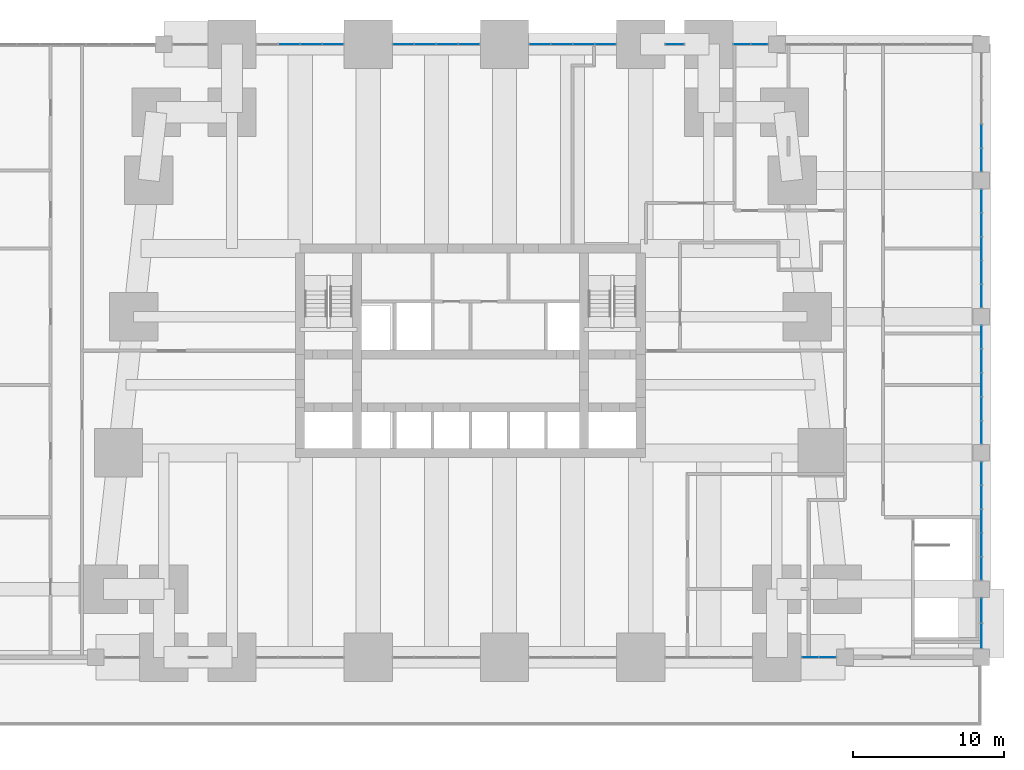
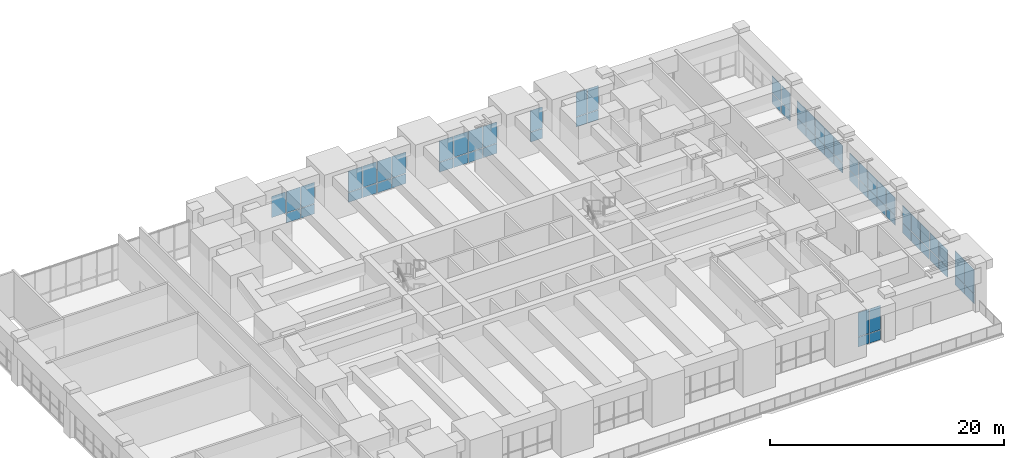
# One storey, part 16 of 22: 69 plates, 11 elements without a shape of their own.
"""IFC4 building model written with IfcOpenShell, lengths in metres."""

from ifc_helpers import new_model, si_unit, direction, frame, origin, origin_2d, place, context, subcontext, project, spatial, rectangle, extrude, material, layer, layer_set, type_object, element, aggregate, save


model = new_model("IFC4")

# Units and contexts
model_context = context("Model", 3, precision=1e-05, world=origin(), true_north=direction((0.0, 1.0)))
body_context = subcontext(model_context, "Body", "Model", "MODEL_VIEW")
ifc_project = project(units=[si_unit("LENGTHUNIT", "METRE"), si_unit("AREAUNIT", "SQUARE_METRE"), si_unit("VOLUMEUNIT", "CUBIC_METRE"), si_unit("PLANEANGLEUNIT", "RADIAN"), si_unit("MASSUNIT", "GRAM", prefix="KILO")], contexts=[model_context])

# Site, building, storey
site_placement = place(None, origin())
site = spatial("IfcSite", under=ifc_project, at=site_placement, CompositionType="ELEMENT")
building_placement = place(site_placement, origin())
building = spatial("IfcBuilding", under=site, at=building_placement, Name="Kilele Tower Hotel", CompositionType="ELEMENT")
storey_placement = place(building_placement, frame((0.0, 0.0, 19.0)))
storey = spatial("IfcBuildingStorey", under=building, at=storey_placement, Name="L03", CompositionType="ELEMENT", Elevation=19.0)

# Curtain wall, plates
ifc_material_1 = material(Name="Aluminium curtain wall, clear double glazing", Category="aluminium")
curtain_wall_type_1 = type_object("IfcCurtainWallType", Name="Podium curtain wall CW-1", PredefinedType="NOTDEFINED", material=ifc_material_1)
curtain_wall_1_placement = place(storey_placement, origin())
curtain_wall_1 = element("IfcCurtainWall", 1, at=curtain_wall_1_placement, inside=storey, type_object=curtain_wall_type_1, Name="Podium curtain wall CW-1 L03", PredefinedType="NOTDEFINED")
ifc_material_2 = material(Name="Clear double glazing", Category="glass")
ifc_layer_1 = layer(ifc_material_2, 0.028076171875)
ifc_layer_set_1 = layer_set([ifc_layer_1], Name="Clear double glazing")
plate_type_1 = type_object("IfcPlateType", Name="Glazed panel 28 CW-1", PredefinedType="CURTAIN_PANEL", material=ifc_layer_set_1)
plate_1_placement = place(storey_placement, frame((47.202392578125, 0.0, 0.06005859375), z_axis=(0.0, 0.0, 1.0), x_axis=(1.0, 0.0, 0.0)))
plate_1 = element("IfcPlate", 2, at=plate_1_placement, type_object=plate_type_1, Name="CW-1 panel 1.1", PredefinedType="CURTAIN_PANEL", context=body_context, shape_type="SweptSolid", body=[
    extrude(rectangle(XDim=1.0849609375, YDim=0.028076171875, at=origin_2d()), origin(), (0.0, 0.0, 1.0), 1.010009765625),
])
plate_2_placement = place(storey_placement, frame((47.202392578125, 0.0, 1.1298828125), z_axis=(0.0, 0.0, 1.0), x_axis=(1.0, 0.0, 0.0)))
plate_2 = element("IfcPlate", 3, at=plate_2_placement, type_object=plate_type_1, Name="CW-1 panel 1.2", PredefinedType="CURTAIN_PANEL", context=body_context, shape_type="SweptSolid", body=[
    extrude(rectangle(XDim=1.0849609375, YDim=0.028076171875, at=origin_2d()), origin(), (0.0, 0.0, 1.0), 2.510009765625),
])
plate_3_placement = place(storey_placement, frame((48.347412109375, 0.0, 0.06005859375), z_axis=(0.0, 0.0, 1.0), x_axis=(1.0, 0.0, 0.0)))
plate_3 = element("IfcPlate", 4, at=plate_3_placement, type_object=plate_type_1, Name="CW-1 panel 2.1", PredefinedType="CURTAIN_PANEL", context=body_context, shape_type="SweptSolid", body=[
    extrude(rectangle(XDim=1.0849609375, YDim=0.028076171875, at=origin_2d()), origin(), (0.0, 0.0, 1.0), 1.010009765625),
])
plate_4_placement = place(storey_placement, frame((48.347412109375, 0.0, 1.1298828125), z_axis=(0.0, 0.0, 1.0), x_axis=(1.0, 0.0, 0.0)))
plate_4 = element("IfcPlate", 5, at=plate_4_placement, type_object=plate_type_1, Name="CW-1 panel 2.2", PredefinedType="CURTAIN_PANEL", context=body_context, shape_type="SweptSolid", body=[
    extrude(rectangle(XDim=1.0849609375, YDim=0.028076171875, at=origin_2d()), origin(), (0.0, 0.0, 1.0), 2.510009765625),
])
aggregate(curtain_wall_1, [plate_1, plate_2, plate_3, plate_4])

curtain_wall_2_placement = place(storey_placement, origin())
curtain_wall_2 = element("IfcCurtainWall", 6, at=curtain_wall_2_placement, inside=storey, type_object=curtain_wall_type_1, Name="Podium curtain wall CW-1 L03", PredefinedType="NOTDEFINED")
plate_5_placement = place(storey_placement, frame((43.847412109375, 40.5, 0.06005859375), z_axis=(0.0, 0.0, 1.0), x_axis=(-1.0, 0.0, 0.0)))
plate_5 = element("IfcPlate", 7, at=plate_5_placement, type_object=plate_type_1, Name="CW-1 panel 1.1", PredefinedType="CURTAIN_PANEL", context=body_context, shape_type="SweptSolid", body=[
    extrude(rectangle(XDim=1.0849609375, YDim=0.028076171875, at=origin_2d()), origin(), (0.0, 0.0, 1.0), 1.010009765625),
])
plate_6_placement = place(storey_placement, frame((43.847412109375, 40.5, 1.1298828125), z_axis=(0.0, 0.0, 1.0), x_axis=(-1.0, 0.0, 0.0)))
plate_6 = element("IfcPlate", 8, at=plate_6_placement, type_object=plate_type_1, Name="CW-1 panel 1.2", PredefinedType="CURTAIN_PANEL", context=body_context, shape_type="SweptSolid", body=[
    extrude(rectangle(XDim=1.0849609375, YDim=0.028076171875, at=origin_2d()), origin(), (0.0, 0.0, 1.0), 2.510009765625),
])
plate_7_placement = place(storey_placement, frame((42.702392578125, 40.5, 0.06005859375), z_axis=(0.0, 0.0, 1.0), x_axis=(-1.0, 0.0, 0.0)))
plate_7 = element("IfcPlate", 9, at=plate_7_placement, type_object=plate_type_1, Name="CW-1 panel 2.1", PredefinedType="CURTAIN_PANEL", context=body_context, shape_type="SweptSolid", body=[
    extrude(rectangle(XDim=1.0849609375, YDim=0.028076171875, at=origin_2d()), origin(), (0.0, 0.0, 1.0), 1.010009765625),
])
plate_8_placement = place(storey_placement, frame((42.702392578125, 40.5, 1.1298828125), z_axis=(0.0, 0.0, 1.0), x_axis=(-1.0, 0.0, 0.0)))
plate_8 = element("IfcPlate", 10, at=plate_8_placement, type_object=plate_type_1, Name="CW-1 panel 2.2", PredefinedType="CURTAIN_PANEL", context=body_context, shape_type="SweptSolid", body=[
    extrude(rectangle(XDim=1.0849609375, YDim=0.028076171875, at=origin_2d()), origin(), (0.0, 0.0, 1.0), 2.510009765625),
])
aggregate(curtain_wall_2, [plate_5, plate_6, plate_7, plate_8])

curtain_wall_3_placement = place(storey_placement, origin())
curtain_wall_3 = element("IfcCurtainWall", 11, at=curtain_wall_3_placement, inside=storey, type_object=curtain_wall_type_1, Name="Podium curtain wall CW-1 L03", PredefinedType="NOTDEFINED")
plate_9_placement = place(storey_placement, frame((38.25, 40.5, 0.06005859375), z_axis=(0.0, 0.0, 1.0), x_axis=(-1.0, 0.0, 0.0)))
plate_9 = element("IfcPlate", 12, at=plate_9_placement, type_object=plate_type_1, Name="CW-1 panel 1.1", PredefinedType="CURTAIN_PANEL", context=body_context, shape_type="SweptSolid", body=[
    extrude(rectangle(XDim=1.179931640625, YDim=0.028076171875, at=origin_2d()), origin(), (0.0, 0.0, 1.0), 1.010009765625),
])
plate_10_placement = place(storey_placement, frame((38.25, 40.5, 1.130126953125), z_axis=(0.0, 0.0, 1.0), x_axis=(-1.0, 0.0, 0.0)))
plate_10 = element("IfcPlate", 13, at=plate_10_placement, type_object=plate_type_1, Name="CW-1 panel 1.2", PredefinedType="CURTAIN_PANEL", context=body_context, shape_type="SweptSolid", body=[
    extrude(rectangle(XDim=1.179931640625, YDim=0.028076171875, at=origin_2d()), origin(), (0.0, 0.0, 1.0), 2.2099609375),
])
aggregate(curtain_wall_3, [plate_9, plate_10])

curtain_wall_4_placement = place(storey_placement, origin())
curtain_wall_4 = element("IfcCurtainWall", 14, at=curtain_wall_4_placement, inside=storey, type_object=curtain_wall_type_1, Name="Podium curtain wall CW-1 L03", PredefinedType="NOTDEFINED")
plate_11_placement = place(storey_placement, frame((33.659912109375, 40.5, 0.06005859375), z_axis=(0.0, 0.0, 1.0), x_axis=(-1.0, 0.0, 0.0)))
plate_11 = element("IfcPlate", 15, at=plate_11_placement, type_object=plate_type_1, Name="CW-1 panel 1.1", PredefinedType="CURTAIN_PANEL", context=body_context, shape_type="SweptSolid", body=[
    extrude(rectangle(XDim=1.360107421875, YDim=0.028076171875, at=origin_2d()), origin(), (0.0, 0.0, 1.0), 1.010009765625),
])
plate_12_placement = place(storey_placement, frame((33.659912109375, 40.5, 1.130126953125), z_axis=(0.0, 0.0, 1.0), x_axis=(-1.0, 0.0, 0.0)))
plate_12 = element("IfcPlate", 16, at=plate_12_placement, type_object=plate_type_1, Name="CW-1 panel 1.2", PredefinedType="CURTAIN_PANEL", context=body_context, shape_type="SweptSolid", body=[
    extrude(rectangle(XDim=1.360107421875, YDim=0.028076171875, at=origin_2d()), origin(), (0.0, 0.0, 1.0), 2.2099609375),
])
plate_13_placement = place(storey_placement, frame((32.22509765625, 40.5, 0.06005859375), z_axis=(0.0, 0.0, 1.0), x_axis=(-1.0, 0.0, 0.0)))
plate_13 = element("IfcPlate", 17, at=plate_13_placement, type_object=plate_type_1, Name="CW-1 panel 2.1", PredefinedType="CURTAIN_PANEL", context=body_context, shape_type="SweptSolid", body=[
    extrude(rectangle(XDim=1.389892578125, YDim=0.028076171875, at=origin_2d()), origin(), (0.0, 0.0, 1.0), 1.010009765625),
])
plate_14_placement = place(storey_placement, frame((32.22509765625, 40.5, 1.130126953125), z_axis=(0.0, 0.0, 1.0), x_axis=(-1.0, 0.0, 0.0)))
plate_14 = element("IfcPlate", 18, at=plate_14_placement, type_object=plate_type_1, Name="CW-1 panel 2.2", PredefinedType="CURTAIN_PANEL", context=body_context, shape_type="SweptSolid", body=[
    extrude(rectangle(XDim=1.389892578125, YDim=0.028076171875, at=origin_2d()), origin(), (0.0, 0.0, 1.0), 2.2099609375),
])
plate_15_placement = place(storey_placement, frame((30.77490234375, 40.5, 0.06005859375), z_axis=(0.0, 0.0, 1.0), x_axis=(-1.0, 0.0, 0.0)))
plate_15 = element("IfcPlate", 19, at=plate_15_placement, type_object=plate_type_1, Name="CW-1 panel 3.1", PredefinedType="CURTAIN_PANEL", context=body_context, shape_type="SweptSolid", body=[
    extrude(rectangle(XDim=1.389892578125, YDim=0.028076171875, at=origin_2d()), origin(), (0.0, 0.0, 1.0), 1.010009765625),
])
plate_16_placement = place(storey_placement, frame((30.77490234375, 40.5, 1.130126953125), z_axis=(0.0, 0.0, 1.0), x_axis=(-1.0, 0.0, 0.0)))
plate_16 = element("IfcPlate", 20, at=plate_16_placement, type_object=plate_type_1, Name="CW-1 panel 3.2", PredefinedType="CURTAIN_PANEL", context=body_context, shape_type="SweptSolid", body=[
    extrude(rectangle(XDim=1.389892578125, YDim=0.028076171875, at=origin_2d()), origin(), (0.0, 0.0, 1.0), 2.2099609375),
])
plate_17_placement = place(storey_placement, frame((29.340087890625, 40.5, 0.06005859375), z_axis=(0.0, 0.0, 1.0), x_axis=(-1.0, 0.0, 0.0)))
plate_17 = element("IfcPlate", 21, at=plate_17_placement, type_object=plate_type_1, Name="CW-1 panel 4.1", PredefinedType="CURTAIN_PANEL", context=body_context, shape_type="SweptSolid", body=[
    extrude(rectangle(XDim=1.360107421875, YDim=0.028076171875, at=origin_2d()), origin(), (0.0, 0.0, 1.0), 1.010009765625),
])
plate_18_placement = place(storey_placement, frame((29.340087890625, 40.5, 1.130126953125), z_axis=(0.0, 0.0, 1.0), x_axis=(-1.0, 0.0, 0.0)))
plate_18 = element("IfcPlate", 22, at=plate_18_placement, type_object=plate_type_1, Name="CW-1 panel 4.2", PredefinedType="CURTAIN_PANEL", context=body_context, shape_type="SweptSolid", body=[
    extrude(rectangle(XDim=1.360107421875, YDim=0.028076171875, at=origin_2d()), origin(), (0.0, 0.0, 1.0), 2.2099609375),
])
aggregate(curtain_wall_4, [plate_11, plate_12, plate_13, plate_14, plate_15, plate_16, plate_17, plate_18])

curtain_wall_5_placement = place(storey_placement, origin())
curtain_wall_5 = element("IfcCurtainWall", 23, at=curtain_wall_5_placement, inside=storey, type_object=curtain_wall_type_1, Name="Podium curtain wall CW-1 L03", PredefinedType="NOTDEFINED")
plate_19_placement = place(storey_placement, frame((24.659912109375, 40.5, 0.06005859375), z_axis=(0.0, 0.0, 1.0), x_axis=(-1.0, 0.0, 0.0)))
plate_19 = element("IfcPlate", 24, at=plate_19_placement, type_object=plate_type_1, Name="CW-1 panel 1.1", PredefinedType="CURTAIN_PANEL", context=body_context, shape_type="SweptSolid", body=[
    extrude(rectangle(XDim=1.360107421875, YDim=0.028076171875, at=origin_2d()), origin(), (0.0, 0.0, 1.0), 1.010009765625),
])
plate_20_placement = place(storey_placement, frame((24.659912109375, 40.5, 1.130126953125), z_axis=(0.0, 0.0, 1.0), x_axis=(-1.0, 0.0, 0.0)))
plate_20 = element("IfcPlate", 25, at=plate_20_placement, type_object=plate_type_1, Name="CW-1 panel 1.2", PredefinedType="CURTAIN_PANEL", context=body_context, shape_type="SweptSolid", body=[
    extrude(rectangle(XDim=1.360107421875, YDim=0.028076171875, at=origin_2d()), origin(), (0.0, 0.0, 1.0), 2.2099609375),
])
plate_21_placement = place(storey_placement, frame((23.22509765625, 40.5, 0.06005859375), z_axis=(0.0, 0.0, 1.0), x_axis=(-1.0, 0.0, 0.0)))
plate_21 = element("IfcPlate", 26, at=plate_21_placement, type_object=plate_type_1, Name="CW-1 panel 2.1", PredefinedType="CURTAIN_PANEL", context=body_context, shape_type="SweptSolid", body=[
    extrude(rectangle(XDim=1.389892578125, YDim=0.028076171875, at=origin_2d()), origin(), (0.0, 0.0, 1.0), 1.010009765625),
])
plate_22_placement = place(storey_placement, frame((23.22509765625, 40.5, 1.130126953125), z_axis=(0.0, 0.0, 1.0), x_axis=(-1.0, 0.0, 0.0)))
plate_22 = element("IfcPlate", 27, at=plate_22_placement, type_object=plate_type_1, Name="CW-1 panel 2.2", PredefinedType="CURTAIN_PANEL", context=body_context, shape_type="SweptSolid", body=[
    extrude(rectangle(XDim=1.389892578125, YDim=0.028076171875, at=origin_2d()), origin(), (0.0, 0.0, 1.0), 2.2099609375),
])
plate_23_placement = place(storey_placement, frame((21.77490234375, 40.5, 0.06005859375), z_axis=(0.0, 0.0, 1.0), x_axis=(-1.0, 0.0, 0.0)))
plate_23 = element("IfcPlate", 28, at=plate_23_placement, type_object=plate_type_1, Name="CW-1 panel 3.1", PredefinedType="CURTAIN_PANEL", context=body_context, shape_type="SweptSolid", body=[
    extrude(rectangle(XDim=1.389892578125, YDim=0.028076171875, at=origin_2d()), origin(), (0.0, 0.0, 1.0), 1.010009765625),
])
plate_24_placement = place(storey_placement, frame((21.77490234375, 40.5, 1.130126953125), z_axis=(0.0, 0.0, 1.0), x_axis=(-1.0, 0.0, 0.0)))
plate_24 = element("IfcPlate", 29, at=plate_24_placement, type_object=plate_type_1, Name="CW-1 panel 3.2", PredefinedType="CURTAIN_PANEL", context=body_context, shape_type="SweptSolid", body=[
    extrude(rectangle(XDim=1.389892578125, YDim=0.028076171875, at=origin_2d()), origin(), (0.0, 0.0, 1.0), 2.2099609375),
])
plate_25_placement = place(storey_placement, frame((20.340087890625, 40.5, 0.06005859375), z_axis=(0.0, 0.0, 1.0), x_axis=(-1.0, 0.0, 0.0)))
plate_25 = element("IfcPlate", 30, at=plate_25_placement, type_object=plate_type_1, Name="CW-1 panel 4.1", PredefinedType="CURTAIN_PANEL", context=body_context, shape_type="SweptSolid", body=[
    extrude(rectangle(XDim=1.360107421875, YDim=0.028076171875, at=origin_2d()), origin(), (0.0, 0.0, 1.0), 1.010009765625),
])
plate_26_placement = place(storey_placement, frame((20.340087890625, 40.5, 1.130126953125), z_axis=(0.0, 0.0, 1.0), x_axis=(-1.0, 0.0, 0.0)))
plate_26 = element("IfcPlate", 31, at=plate_26_placement, type_object=plate_type_1, Name="CW-1 panel 4.2", PredefinedType="CURTAIN_PANEL", context=body_context, shape_type="SweptSolid", body=[
    extrude(rectangle(XDim=1.360107421875, YDim=0.028076171875, at=origin_2d()), origin(), (0.0, 0.0, 1.0), 2.2099609375),
])
aggregate(curtain_wall_5, [plate_19, plate_20, plate_21, plate_22, plate_23, plate_24, plate_25, plate_26])

curtain_wall_6_placement = place(storey_placement, origin())
curtain_wall_6 = element("IfcCurtainWall", 32, at=curtain_wall_6_placement, inside=storey, type_object=curtain_wall_type_1, Name="Podium curtain wall CW-1 L03", PredefinedType="NOTDEFINED")
plate_27_placement = place(storey_placement, frame((15.659912109375, 40.5, 0.06005859375), z_axis=(0.0, 0.0, 1.0), x_axis=(-1.0, 0.0, 0.0)))
plate_27 = element("IfcPlate", 33, at=plate_27_placement, type_object=plate_type_1, Name="CW-1 panel 1.1", PredefinedType="CURTAIN_PANEL", context=body_context, shape_type="SweptSolid", body=[
    extrude(rectangle(XDim=1.360107421875, YDim=0.028076171875, at=origin_2d()), origin(), (0.0, 0.0, 1.0), 1.010009765625),
])
plate_28_placement = place(storey_placement, frame((15.659912109375, 40.5, 1.130126953125), z_axis=(0.0, 0.0, 1.0), x_axis=(-1.0, 0.0, 0.0)))
plate_28 = element("IfcPlate", 34, at=plate_28_placement, type_object=plate_type_1, Name="CW-1 panel 1.2", PredefinedType="CURTAIN_PANEL", context=body_context, shape_type="SweptSolid", body=[
    extrude(rectangle(XDim=1.360107421875, YDim=0.028076171875, at=origin_2d()), origin(), (0.0, 0.0, 1.0), 2.2099609375),
])
plate_29_placement = place(storey_placement, frame((14.22509765625, 40.5, 0.06005859375), z_axis=(0.0, 0.0, 1.0), x_axis=(-1.0, 0.0, 0.0)))
plate_29 = element("IfcPlate", 35, at=plate_29_placement, type_object=plate_type_1, Name="CW-1 panel 2.1", PredefinedType="CURTAIN_PANEL", context=body_context, shape_type="SweptSolid", body=[
    extrude(rectangle(XDim=1.389892578125, YDim=0.028076171875, at=origin_2d()), origin(), (0.0, 0.0, 1.0), 1.010009765625),
])
plate_30_placement = place(storey_placement, frame((14.22509765625, 40.5, 1.130126953125), z_axis=(0.0, 0.0, 1.0), x_axis=(-1.0, 0.0, 0.0)))
plate_30 = element("IfcPlate", 36, at=plate_30_placement, type_object=plate_type_1, Name="CW-1 panel 2.2", PredefinedType="CURTAIN_PANEL", context=body_context, shape_type="SweptSolid", body=[
    extrude(rectangle(XDim=1.389892578125, YDim=0.028076171875, at=origin_2d()), origin(), (0.0, 0.0, 1.0), 2.2099609375),
])
plate_31_placement = place(storey_placement, frame((12.77490234375, 40.5, 1.130126953125), z_axis=(0.0, 0.0, 1.0), x_axis=(-1.0, 0.0, 0.0)))
plate_31 = element("IfcPlate", 37, at=plate_31_placement, type_object=plate_type_1, Name="CW-1 panel 3.2", PredefinedType="CURTAIN_PANEL", context=body_context, shape_type="SweptSolid", body=[
    extrude(rectangle(XDim=1.389892578125, YDim=0.028076171875, at=origin_2d()), origin(), (0.0, 0.0, 1.0), 2.2099609375),
])
aggregate(curtain_wall_6, [plate_27, plate_28, plate_29, plate_30, plate_31])

ifc_material_3 = material(Name="Aluminium curtain wall, clear double glazing", Category="aluminium")
curtain_wall_type_2 = type_object("IfcCurtainWallType", Name="Podium side curtain wall CW-2", PredefinedType="NOTDEFINED", material=ifc_material_3)
curtain_wall_7_placement = place(storey_placement, origin())
curtain_wall_7 = element("IfcCurtainWall", 38, at=curtain_wall_7_placement, inside=storey, type_object=curtain_wall_type_2, Name="Podium side curtain wall CW-2 L03", PredefinedType="NOTDEFINED")
ifc_material_4 = material(Name="Clear double glazing", Category="glass")
ifc_layer_2 = layer(ifc_material_4, 0.028076171875)
ifc_layer_set_2 = layer_set([ifc_layer_2], Name="Clear double glazing")
plate_type_2 = type_object("IfcPlateType", Name="Glazed panel 28 CW-2", PredefinedType="CURTAIN_PANEL", material=ifc_layer_set_2)
plate_32_placement = place(storey_placement, frame((58.5, 1.4150390625, 0.06005859375), z_axis=(0.0, 0.0, 1.0), x_axis=(0.0, 1.0, 0.0)))
plate_32 = element("IfcPlate", 39, at=plate_32_placement, type_object=plate_type_2, Name="CW-2 panel 1.1", PredefinedType="CURTAIN_PANEL", context=body_context, shape_type="SweptSolid", body=[
    extrude(rectangle(XDim=1.610107421875, YDim=0.028076171875, at=origin_2d()), origin(), (0.0, 0.0, 1.0), 1.010009765625),
])
plate_33_placement = place(storey_placement, frame((58.5, 1.4150390625, 1.1298828125), z_axis=(0.0, 0.0, 1.0), x_axis=(0.0, 1.0, 0.0)))
plate_33 = element("IfcPlate", 40, at=plate_33_placement, type_object=plate_type_2, Name="CW-2 panel 1.2", PredefinedType="CURTAIN_PANEL", context=body_context, shape_type="SweptSolid", body=[
    extrude(rectangle(XDim=1.610107421875, YDim=0.028076171875, at=origin_2d()), origin(), (0.0, 0.0, 1.0), 2.510009765625),
])
plate_34_placement = place(storey_placement, frame((58.5, 3.0849609375, 0.06005859375), z_axis=(0.0, 0.0, 1.0), x_axis=(0.0, 1.0, 0.0)))
plate_34 = element("IfcPlate", 41, at=plate_34_placement, type_object=plate_type_2, Name="CW-2 panel 2.1", PredefinedType="CURTAIN_PANEL", context=body_context, shape_type="SweptSolid", body=[
    extrude(rectangle(XDim=1.610107421875, YDim=0.028076171875, at=origin_2d()), origin(), (0.0, 0.0, 1.0), 1.010009765625),
])
plate_35_placement = place(storey_placement, frame((58.5, 3.0849609375, 1.1298828125), z_axis=(0.0, 0.0, 1.0), x_axis=(0.0, 1.0, 0.0)))
plate_35 = element("IfcPlate", 42, at=plate_35_placement, type_object=plate_type_2, Name="CW-2 panel 2.2", PredefinedType="CURTAIN_PANEL", context=body_context, shape_type="SweptSolid", body=[
    extrude(rectangle(XDim=1.610107421875, YDim=0.028076171875, at=origin_2d()), origin(), (0.0, 0.0, 1.0), 2.510009765625),
])
aggregate(curtain_wall_7, [plate_32, plate_33, plate_34, plate_35])

curtain_wall_8_placement = place(storey_placement, origin())
curtain_wall_8 = element("IfcCurtainWall", 43, at=curtain_wall_8_placement, inside=storey, type_object=curtain_wall_type_2, Name="Podium side curtain wall CW-2 L03", PredefinedType="NOTDEFINED")
plate_36_placement = place(storey_placement, frame((58.5, 5.85498046875, 0.06005859375), z_axis=(0.0, 0.0, 1.0), x_axis=(0.0, 1.0, 0.0)))
plate_36 = element("IfcPlate", 44, at=plate_36_placement, type_object=plate_type_2, Name="CW-2 panel 1.1", PredefinedType="CURTAIN_PANEL", context=body_context, shape_type="SweptSolid", body=[
    extrude(rectangle(XDim=1.489990234375, YDim=0.028076171875, at=origin_2d()), origin(), (0.0, 0.0, 1.0), 1.010009765625),
])
plate_37_placement = place(storey_placement, frame((58.5, 5.85498046875, 1.1298828125), z_axis=(0.0, 0.0, 1.0), x_axis=(0.0, 1.0, 0.0)))
plate_37 = element("IfcPlate", 45, at=plate_37_placement, type_object=plate_type_2, Name="CW-2 panel 1.2", PredefinedType="CURTAIN_PANEL", context=body_context, shape_type="SweptSolid", body=[
    extrude(rectangle(XDim=1.489990234375, YDim=0.028076171875, at=origin_2d()), origin(), (0.0, 0.0, 1.0), 1.81005859375),
])
plate_38_placement = place(storey_placement, frame((58.5, 7.419921875, 0.06005859375), z_axis=(0.0, 0.0, 1.0), x_axis=(0.0, 1.0, 0.0)))
plate_38 = element("IfcPlate", 46, at=plate_38_placement, type_object=plate_type_2, Name="CW-2 panel 2.1", PredefinedType="CURTAIN_PANEL", context=body_context, shape_type="SweptSolid", body=[
    extrude(rectangle(XDim=1.52001953125, YDim=0.028076171875, at=origin_2d()), origin(), (0.0, 0.0, 1.0), 1.010009765625),
])
plate_39_placement = place(storey_placement, frame((58.5, 7.419921875, 1.1298828125), z_axis=(0.0, 0.0, 1.0), x_axis=(0.0, 1.0, 0.0)))
plate_39 = element("IfcPlate", 47, at=plate_39_placement, type_object=plate_type_2, Name="CW-2 panel 2.2", PredefinedType="CURTAIN_PANEL", context=body_context, shape_type="SweptSolid", body=[
    extrude(rectangle(XDim=1.52001953125, YDim=0.028076171875, at=origin_2d()), origin(), (0.0, 0.0, 1.0), 1.81005859375),
])
plate_40_placement = place(storey_placement, frame((58.5, 9.0, 0.06005859375), z_axis=(0.0, 0.0, 1.0), x_axis=(0.0, 1.0, 0.0)))
plate_40 = element("IfcPlate", 48, at=plate_40_placement, type_object=plate_type_2, Name="CW-2 panel 3.1", PredefinedType="CURTAIN_PANEL", context=body_context, shape_type="SweptSolid", body=[
    extrude(rectangle(XDim=1.52001953125, YDim=0.028076171875, at=origin_2d()), origin(), (0.0, 0.0, 1.0), 1.010009765625),
])
plate_41_placement = place(storey_placement, frame((58.5, 9.0, 1.1298828125), z_axis=(0.0, 0.0, 1.0), x_axis=(0.0, 1.0, 0.0)))
plate_41 = element("IfcPlate", 49, at=plate_41_placement, type_object=plate_type_2, Name="CW-2 panel 3.2", PredefinedType="CURTAIN_PANEL", context=body_context, shape_type="SweptSolid", body=[
    extrude(rectangle(XDim=1.52001953125, YDim=0.028076171875, at=origin_2d()), origin(), (0.0, 0.0, 1.0), 1.81005859375),
])
plate_42_placement = place(storey_placement, frame((58.5, 10.580078125, 0.06005859375), z_axis=(0.0, 0.0, 1.0), x_axis=(0.0, 1.0, 0.0)))
plate_42 = element("IfcPlate", 50, at=plate_42_placement, type_object=plate_type_2, Name="CW-2 panel 4.1", PredefinedType="CURTAIN_PANEL", context=body_context, shape_type="SweptSolid", body=[
    extrude(rectangle(XDim=1.52001953125, YDim=0.028076171875, at=origin_2d()), origin(), (0.0, 0.0, 1.0), 1.010009765625),
])
plate_43_placement = place(storey_placement, frame((58.5, 10.580078125, 1.1298828125), z_axis=(0.0, 0.0, 1.0), x_axis=(0.0, 1.0, 0.0)))
plate_43 = element("IfcPlate", 51, at=plate_43_placement, type_object=plate_type_2, Name="CW-2 panel 4.2", PredefinedType="CURTAIN_PANEL", context=body_context, shape_type="SweptSolid", body=[
    extrude(rectangle(XDim=1.52001953125, YDim=0.028076171875, at=origin_2d()), origin(), (0.0, 0.0, 1.0), 1.81005859375),
])
plate_44_placement = place(storey_placement, frame((58.5, 12.14501953125, 0.06005859375), z_axis=(0.0, 0.0, 1.0), x_axis=(0.0, 1.0, 0.0)))
plate_44 = element("IfcPlate", 52, at=plate_44_placement, type_object=plate_type_2, Name="CW-2 panel 5.1", PredefinedType="CURTAIN_PANEL", context=body_context, shape_type="SweptSolid", body=[
    extrude(rectangle(XDim=1.489990234375, YDim=0.028076171875, at=origin_2d()), origin(), (0.0, 0.0, 1.0), 1.010009765625),
])
plate_45_placement = place(storey_placement, frame((58.5, 12.14501953125, 1.1298828125), z_axis=(0.0, 0.0, 1.0), x_axis=(0.0, 1.0, 0.0)))
plate_45 = element("IfcPlate", 53, at=plate_45_placement, type_object=plate_type_2, Name="CW-2 panel 5.2", PredefinedType="CURTAIN_PANEL", context=body_context, shape_type="SweptSolid", body=[
    extrude(rectangle(XDim=1.489990234375, YDim=0.028076171875, at=origin_2d()), origin(), (0.0, 0.0, 1.0), 1.81005859375),
])
aggregate(curtain_wall_8, [plate_36, plate_37, plate_38, plate_39, plate_40, plate_41, plate_42, plate_43, plate_44, plate_45])

curtain_wall_9_placement = place(storey_placement, origin())
curtain_wall_9 = element("IfcCurtainWall", 54, at=curtain_wall_9_placement, inside=storey, type_object=curtain_wall_type_2, Name="Podium side curtain wall CW-2 L03", PredefinedType="NOTDEFINED")
plate_46_placement = place(storey_placement, frame((58.5, 14.85498046875, 0.06005859375), z_axis=(0.0, 0.0, 1.0), x_axis=(0.0, 1.0, 0.0)))
plate_46 = element("IfcPlate", 55, at=plate_46_placement, type_object=plate_type_2, Name="CW-2 panel 1.1", PredefinedType="CURTAIN_PANEL", context=body_context, shape_type="SweptSolid", body=[
    extrude(rectangle(XDim=1.489990234375, YDim=0.028076171875, at=origin_2d()), origin(), (0.0, 0.0, 1.0), 1.010009765625),
])
plate_47_placement = place(storey_placement, frame((58.5, 14.85498046875, 1.1298828125), z_axis=(0.0, 0.0, 1.0), x_axis=(0.0, 1.0, 0.0)))
plate_47 = element("IfcPlate", 56, at=plate_47_placement, type_object=plate_type_2, Name="CW-2 panel 1.2", PredefinedType="CURTAIN_PANEL", context=body_context, shape_type="SweptSolid", body=[
    extrude(rectangle(XDim=1.489990234375, YDim=0.028076171875, at=origin_2d()), origin(), (0.0, 0.0, 1.0), 1.81005859375),
])
plate_48_placement = place(storey_placement, frame((58.5, 16.419921875, 0.06005859375), z_axis=(0.0, 0.0, 1.0), x_axis=(0.0, 1.0, 0.0)))
plate_48 = element("IfcPlate", 57, at=plate_48_placement, type_object=plate_type_2, Name="CW-2 panel 2.1", PredefinedType="CURTAIN_PANEL", context=body_context, shape_type="SweptSolid", body=[
    extrude(rectangle(XDim=1.52001953125, YDim=0.028076171875, at=origin_2d()), origin(), (0.0, 0.0, 1.0), 1.010009765625),
])
plate_49_placement = place(storey_placement, frame((58.5, 16.419921875, 1.1298828125), z_axis=(0.0, 0.0, 1.0), x_axis=(0.0, 1.0, 0.0)))
plate_49 = element("IfcPlate", 58, at=plate_49_placement, type_object=plate_type_2, Name="CW-2 panel 2.2", PredefinedType="CURTAIN_PANEL", context=body_context, shape_type="SweptSolid", body=[
    extrude(rectangle(XDim=1.52001953125, YDim=0.028076171875, at=origin_2d()), origin(), (0.0, 0.0, 1.0), 1.81005859375),
])
plate_50_placement = place(storey_placement, frame((58.5, 18.0, 0.06005859375), z_axis=(0.0, 0.0, 1.0), x_axis=(0.0, 1.0, 0.0)))
plate_50 = element("IfcPlate", 59, at=plate_50_placement, type_object=plate_type_2, Name="CW-2 panel 3.1", PredefinedType="CURTAIN_PANEL", context=body_context, shape_type="SweptSolid", body=[
    extrude(rectangle(XDim=1.52001953125, YDim=0.028076171875, at=origin_2d()), origin(), (0.0, 0.0, 1.0), 1.010009765625),
])
plate_51_placement = place(storey_placement, frame((58.5, 18.0, 1.1298828125), z_axis=(0.0, 0.0, 1.0), x_axis=(0.0, 1.0, 0.0)))
plate_51 = element("IfcPlate", 60, at=plate_51_placement, type_object=plate_type_2, Name="CW-2 panel 3.2", PredefinedType="CURTAIN_PANEL", context=body_context, shape_type="SweptSolid", body=[
    extrude(rectangle(XDim=1.52001953125, YDim=0.028076171875, at=origin_2d()), origin(), (0.0, 0.0, 1.0), 1.81005859375),
])
plate_52_placement = place(storey_placement, frame((58.5, 19.580078125, 0.06005859375), z_axis=(0.0, 0.0, 1.0), x_axis=(0.0, 1.0, 0.0)))
plate_52 = element("IfcPlate", 61, at=plate_52_placement, type_object=plate_type_2, Name="CW-2 panel 4.1", PredefinedType="CURTAIN_PANEL", context=body_context, shape_type="SweptSolid", body=[
    extrude(rectangle(XDim=1.52001953125, YDim=0.028076171875, at=origin_2d()), origin(), (0.0, 0.0, 1.0), 1.010009765625),
])
plate_53_placement = place(storey_placement, frame((58.5, 19.580078125, 1.1298828125), z_axis=(0.0, 0.0, 1.0), x_axis=(0.0, 1.0, 0.0)))
plate_53 = element("IfcPlate", 62, at=plate_53_placement, type_object=plate_type_2, Name="CW-2 panel 4.2", PredefinedType="CURTAIN_PANEL", context=body_context, shape_type="SweptSolid", body=[
    extrude(rectangle(XDim=1.52001953125, YDim=0.028076171875, at=origin_2d()), origin(), (0.0, 0.0, 1.0), 1.81005859375),
])
plate_54_placement = place(storey_placement, frame((58.5, 21.14501953125, 0.06005859375), z_axis=(0.0, 0.0, 1.0), x_axis=(0.0, 1.0, 0.0)))
plate_54 = element("IfcPlate", 63, at=plate_54_placement, type_object=plate_type_2, Name="CW-2 panel 5.1", PredefinedType="CURTAIN_PANEL", context=body_context, shape_type="SweptSolid", body=[
    extrude(rectangle(XDim=1.489990234375, YDim=0.028076171875, at=origin_2d()), origin(), (0.0, 0.0, 1.0), 1.010009765625),
])
plate_55_placement = place(storey_placement, frame((58.5, 21.14501953125, 1.1298828125), z_axis=(0.0, 0.0, 1.0), x_axis=(0.0, 1.0, 0.0)))
plate_55 = element("IfcPlate", 64, at=plate_55_placement, type_object=plate_type_2, Name="CW-2 panel 5.2", PredefinedType="CURTAIN_PANEL", context=body_context, shape_type="SweptSolid", body=[
    extrude(rectangle(XDim=1.489990234375, YDim=0.028076171875, at=origin_2d()), origin(), (0.0, 0.0, 1.0), 1.81005859375),
])
aggregate(curtain_wall_9, [plate_46, plate_47, plate_48, plate_49, plate_50, plate_51, plate_52, plate_53, plate_54, plate_55])

curtain_wall_10_placement = place(storey_placement, origin())
curtain_wall_10 = element("IfcCurtainWall", 65, at=curtain_wall_10_placement, inside=storey, type_object=curtain_wall_type_2, Name="Podium side curtain wall CW-2 L03", PredefinedType="NOTDEFINED")
plate_56_placement = place(storey_placement, frame((58.5, 23.85498046875, 0.06005859375), z_axis=(0.0, 0.0, 1.0), x_axis=(0.0, 1.0, 0.0)))
plate_56 = element("IfcPlate", 66, at=plate_56_placement, type_object=plate_type_2, Name="CW-2 panel 1.1", PredefinedType="CURTAIN_PANEL", context=body_context, shape_type="SweptSolid", body=[
    extrude(rectangle(XDim=1.489990234375, YDim=0.028076171875, at=origin_2d()), origin(), (0.0, 0.0, 1.0), 1.010009765625),
])
plate_57_placement = place(storey_placement, frame((58.5, 23.85498046875, 1.1298828125), z_axis=(0.0, 0.0, 1.0), x_axis=(0.0, 1.0, 0.0)))
plate_57 = element("IfcPlate", 67, at=plate_57_placement, type_object=plate_type_2, Name="CW-2 panel 1.2", PredefinedType="CURTAIN_PANEL", context=body_context, shape_type="SweptSolid", body=[
    extrude(rectangle(XDim=1.489990234375, YDim=0.028076171875, at=origin_2d()), origin(), (0.0, 0.0, 1.0), 1.81005859375),
])
plate_58_placement = place(storey_placement, frame((58.5, 25.419921875, 0.06005859375), z_axis=(0.0, 0.0, 1.0), x_axis=(0.0, 1.0, 0.0)))
plate_58 = element("IfcPlate", 68, at=plate_58_placement, type_object=plate_type_2, Name="CW-2 panel 2.1", PredefinedType="CURTAIN_PANEL", context=body_context, shape_type="SweptSolid", body=[
    extrude(rectangle(XDim=1.52001953125, YDim=0.028076171875, at=origin_2d()), origin(), (0.0, 0.0, 1.0), 1.010009765625),
])
plate_59_placement = place(storey_placement, frame((58.5, 25.419921875, 1.1298828125), z_axis=(0.0, 0.0, 1.0), x_axis=(0.0, 1.0, 0.0)))
plate_59 = element("IfcPlate", 69, at=plate_59_placement, type_object=plate_type_2, Name="CW-2 panel 2.2", PredefinedType="CURTAIN_PANEL", context=body_context, shape_type="SweptSolid", body=[
    extrude(rectangle(XDim=1.52001953125, YDim=0.028076171875, at=origin_2d()), origin(), (0.0, 0.0, 1.0), 1.81005859375),
])
plate_60_placement = place(storey_placement, frame((58.5, 27.0, 0.06005859375), z_axis=(0.0, 0.0, 1.0), x_axis=(0.0, 1.0, 0.0)))
plate_60 = element("IfcPlate", 70, at=plate_60_placement, type_object=plate_type_2, Name="CW-2 panel 3.1", PredefinedType="CURTAIN_PANEL", context=body_context, shape_type="SweptSolid", body=[
    extrude(rectangle(XDim=1.52001953125, YDim=0.028076171875, at=origin_2d()), origin(), (0.0, 0.0, 1.0), 1.010009765625),
])
plate_61_placement = place(storey_placement, frame((58.5, 27.0, 1.1298828125), z_axis=(0.0, 0.0, 1.0), x_axis=(0.0, 1.0, 0.0)))
plate_61 = element("IfcPlate", 71, at=plate_61_placement, type_object=plate_type_2, Name="CW-2 panel 3.2", PredefinedType="CURTAIN_PANEL", context=body_context, shape_type="SweptSolid", body=[
    extrude(rectangle(XDim=1.52001953125, YDim=0.028076171875, at=origin_2d()), origin(), (0.0, 0.0, 1.0), 1.81005859375),
])
plate_62_placement = place(storey_placement, frame((58.5, 28.580078125, 0.06005859375), z_axis=(0.0, 0.0, 1.0), x_axis=(0.0, 1.0, 0.0)))
plate_62 = element("IfcPlate", 72, at=plate_62_placement, type_object=plate_type_2, Name="CW-2 panel 4.1", PredefinedType="CURTAIN_PANEL", context=body_context, shape_type="SweptSolid", body=[
    extrude(rectangle(XDim=1.52001953125, YDim=0.028076171875, at=origin_2d()), origin(), (0.0, 0.0, 1.0), 1.010009765625),
])
plate_63_placement = place(storey_placement, frame((58.5, 28.580078125, 1.1298828125), z_axis=(0.0, 0.0, 1.0), x_axis=(0.0, 1.0, 0.0)))
plate_63 = element("IfcPlate", 73, at=plate_63_placement, type_object=plate_type_2, Name="CW-2 panel 4.2", PredefinedType="CURTAIN_PANEL", context=body_context, shape_type="SweptSolid", body=[
    extrude(rectangle(XDim=1.52001953125, YDim=0.028076171875, at=origin_2d()), origin(), (0.0, 0.0, 1.0), 1.81005859375),
])
plate_64_placement = place(storey_placement, frame((58.5, 30.14501953125, 0.06005859375), z_axis=(0.0, 0.0, 1.0), x_axis=(0.0, 1.0, 0.0)))
plate_64 = element("IfcPlate", 74, at=plate_64_placement, type_object=plate_type_2, Name="CW-2 panel 5.1", PredefinedType="CURTAIN_PANEL", context=body_context, shape_type="SweptSolid", body=[
    extrude(rectangle(XDim=1.489990234375, YDim=0.028076171875, at=origin_2d()), origin(), (0.0, 0.0, 1.0), 1.010009765625),
])
plate_65_placement = place(storey_placement, frame((58.5, 30.14501953125, 1.1298828125), z_axis=(0.0, 0.0, 1.0), x_axis=(0.0, 1.0, 0.0)))
plate_65 = element("IfcPlate", 75, at=plate_65_placement, type_object=plate_type_2, Name="CW-2 panel 5.2", PredefinedType="CURTAIN_PANEL", context=body_context, shape_type="SweptSolid", body=[
    extrude(rectangle(XDim=1.489990234375, YDim=0.028076171875, at=origin_2d()), origin(), (0.0, 0.0, 1.0), 1.81005859375),
])
aggregate(curtain_wall_10, [plate_56, plate_57, plate_58, plate_59, plate_60, plate_61, plate_62, plate_63, plate_64, plate_65])

curtain_wall_11_placement = place(storey_placement, origin())
curtain_wall_11 = element("IfcCurtainWall", 76, at=curtain_wall_11_placement, inside=storey, type_object=curtain_wall_type_2, Name="Podium side curtain wall CW-2 L03", PredefinedType="NOTDEFINED")
plate_66_placement = place(storey_placement, frame((58.5, 32.85498046875, 0.06005859375), z_axis=(0.0, 0.0, 1.0), x_axis=(0.0, 1.0, 0.0)))
plate_66 = element("IfcPlate", 77, at=plate_66_placement, type_object=plate_type_2, Name="CW-2 panel 1.1", PredefinedType="CURTAIN_PANEL", context=body_context, shape_type="SweptSolid", body=[
    extrude(rectangle(XDim=1.489990234375, YDim=0.028076171875, at=origin_2d()), origin(), (0.0, 0.0, 1.0), 1.010009765625),
])
plate_67_placement = place(storey_placement, frame((58.5, 32.85498046875, 1.1298828125), z_axis=(0.0, 0.0, 1.0), x_axis=(0.0, 1.0, 0.0)))
plate_67 = element("IfcPlate", 78, at=plate_67_placement, type_object=plate_type_2, Name="CW-2 panel 1.2", PredefinedType="CURTAIN_PANEL", context=body_context, shape_type="SweptSolid", body=[
    extrude(rectangle(XDim=1.489990234375, YDim=0.028076171875, at=origin_2d()), origin(), (0.0, 0.0, 1.0), 1.81005859375),
])
plate_68_placement = place(storey_placement, frame((58.5, 34.419921875, 0.06005859375), z_axis=(0.0, 0.0, 1.0), x_axis=(0.0, 1.0, 0.0)))
plate_68 = element("IfcPlate", 79, at=plate_68_placement, type_object=plate_type_2, Name="CW-2 panel 2.1", PredefinedType="CURTAIN_PANEL", context=body_context, shape_type="SweptSolid", body=[
    extrude(rectangle(XDim=1.52001953125, YDim=0.028076171875, at=origin_2d()), origin(), (0.0, 0.0, 1.0), 1.010009765625),
])
plate_69_placement = place(storey_placement, frame((58.5, 34.419921875, 1.1298828125), z_axis=(0.0, 0.0, 1.0), x_axis=(0.0, 1.0, 0.0)))
plate_69 = element("IfcPlate", 80, at=plate_69_placement, type_object=plate_type_2, Name="CW-2 panel 2.2", PredefinedType="CURTAIN_PANEL", context=body_context, shape_type="SweptSolid", body=[
    extrude(rectangle(XDim=1.52001953125, YDim=0.028076171875, at=origin_2d()), origin(), (0.0, 0.0, 1.0), 1.81005859375),
])
aggregate(curtain_wall_11, [plate_66, plate_67, plate_68, plate_69])

save(model, "model.ifc")
